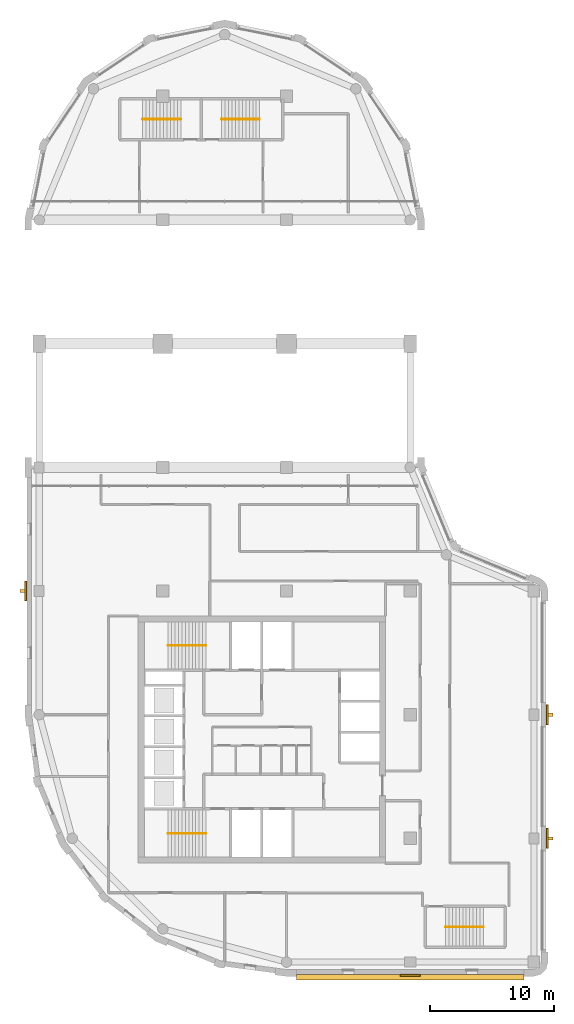
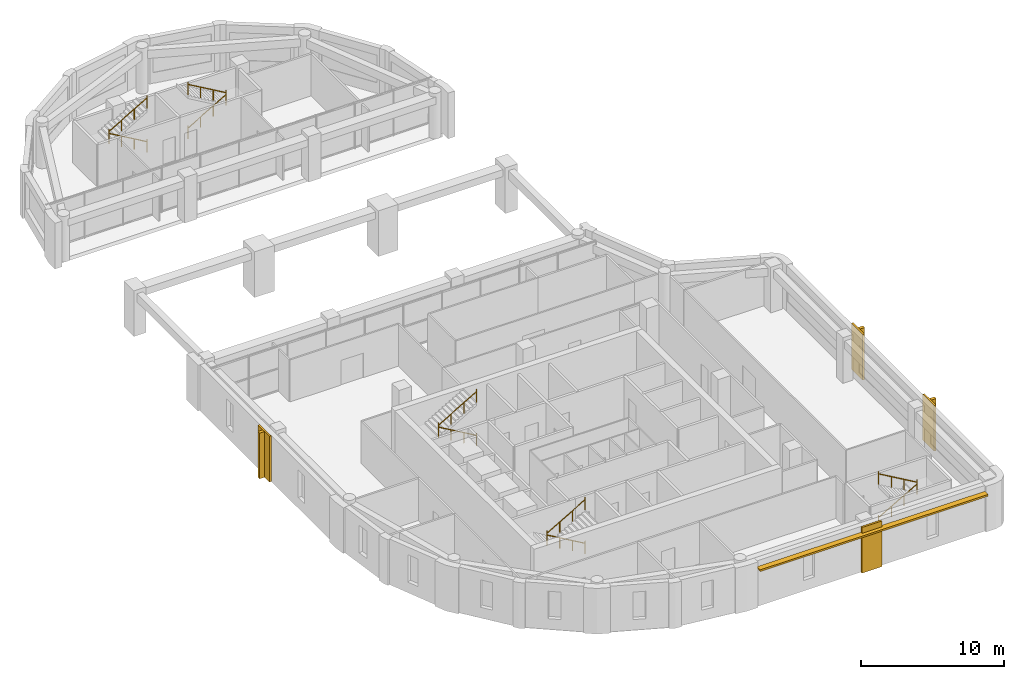
# One storey, part 10 of 11: 10 railings, 4 coverings, 4 shading devices.
"""IFC4 building model written with IfcOpenShell, lengths in metres."""

from ifc_helpers import new_model, si_unit, direction, frame, origin, origin_2d, place, context, subcontext, project, spatial, polyline, rectangle, circle, outline, extrude, material, layer, layer_set, type_object, element, save


model = new_model("IFC4")

# Units and contexts
model_context = context("Model", 3, precision=1e-05, world=origin(), true_north=direction((0.0, 1.0)))
body_context = subcontext(model_context, "Body", "Model", "MODEL_VIEW")
ifc_project = project(units=[si_unit("LENGTHUNIT", "METRE"), si_unit("AREAUNIT", "SQUARE_METRE"), si_unit("VOLUMEUNIT", "CUBIC_METRE"), si_unit("PLANEANGLEUNIT", "RADIAN"), si_unit("MASSUNIT", "GRAM", prefix="KILO")], contexts=[model_context])

# Site, building, storey
site_placement = place(None, origin())
site = spatial("IfcSite", under=ifc_project, at=site_placement, CompositionType="ELEMENT")
building_placement = place(site_placement, origin())
building = spatial("IfcBuilding", under=site, at=building_placement, Name="Qaws Garden Tower", CompositionType="ELEMENT")
storey_placement = place(building_placement, frame((0.0, 0.0, 317.699951171875)))
storey = spatial("IfcBuildingStorey", under=building, at=storey_placement, Name="L77", CompositionType="ELEMENT", Elevation=317.699951171875)

# Coverings
ifc_material_1 = material(Name="Clay facing brick masonry", Category="masonry")
ifc_layer_1 = layer(ifc_material_1, 0.14990234375)
ifc_layer_set_1 = layer_set([ifc_layer_1], Name="Clay facing brick masonry")
covering_type = type_object("IfcCoveringType", Name="Brick pilaster facing 150 x 1600", PredefinedType="CLADDING", material=ifc_layer_set_1)
placement = place(storey_placement, origin())
element("IfcCovering", 1, at=placement, inside=storey, type_object=covering_type, Name="E-L77-pier-01", PredefinedType="CLADDING", context=body_context, shape_type="SweptSolid", body=[
    extrude(outline(polyline([(29.199951171875, -1.0), (30.800048828125, -1.0), (30.800048828125, -1.14990234375), (29.199951171875, -1.14990234375), (29.199951171875, -1.0)])), origin(), (0.0, 0.0, 1.0), 3.900146484375),
])
element("IfcCovering", 2, at=placement, inside=storey, type_object=covering_type, Name="E-L77-pier-03", PredefinedType="CLADDING", context=body_context, shape_type="SweptSolid", body=[
    extrude(outline(polyline([(41.0, 9.199951171875), (41.0, 10.800048828125), (41.14990234375, 10.800048828125), (41.14990234375, 9.199951171875), (41.0, 9.199951171875)])), origin(), (0.0, 0.0, 1.0), 3.900146484375),
])
element("IfcCovering", 3, at=placement, inside=storey, type_object=covering_type, Name="E-L77-pier-04", PredefinedType="CLADDING", context=body_context, shape_type="SweptSolid", body=[
    extrude(outline(polyline([(41.0, 19.199951171875), (41.0, 20.800048828125), (41.14990234375, 20.800048828125), (41.14990234375, 19.199951171875), (41.0, 19.199951171875)])), origin(), (0.0, 0.0, 1.0), 3.900146484375),
])
element("IfcCovering", 4, at=placement, inside=storey, type_object=covering_type, Name="E-L77-pier-20", PredefinedType="CLADDING", context=body_context, shape_type="SweptSolid", body=[
    extrude(outline(polyline([(-1.0, 30.800048828125), (-1.0, 29.199951171875), (-1.14990234375, 29.199951171875), (-1.14990234375, 30.800048828125), (-1.0, 30.800048828125)])), origin(), (0.0, 0.0, 1.0), 3.900146484375),
])

# Shading devices
ifc_material_2 = material(Name="Clay facing brick masonry", Category="masonry")
ifc_layer_2 = layer(ifc_material_2, 0.14990234375)
ifc_layer_set_2 = layer_set([ifc_layer_2], Name="Clay facing brick masonry")
shading_device_type_1 = type_object("IfcShadingDeviceType", Name="Brick sunshade band 450 x 150", PredefinedType="JALOUSIE", material=ifc_layer_set_2)
shading_device_placement = place(storey_placement, frame((0.0, 0.0, 3.25)))
element("IfcShadingDevice", 5, at=shading_device_placement, inside=storey, type_object=shading_device_type_1, Name="SUNSHADE 00", PredefinedType="JALOUSIE", context=body_context, shape_type="SweptSolid", body=[
    extrude(outline(polyline([(20.800048828125, -1.0), (20.800048828125, -1.449951171875), (39.199951171875, -1.449951171875), (39.199951171875, -1.0), (30.800048828125, -1.0), (30.800048828125, -1.14990234375), (29.199951171875, -1.14990234375), (29.199951171875, -1.0), (20.800048828125, -1.0)])), origin(), (0.0, 0.0, 1.0), 0.150146484375),
])
ifc_material_3 = material(Name="Clay facing brick masonry", Category="masonry")
ifc_layer_3 = layer(ifc_material_3, 0.25)
ifc_layer_set_3 = layer_set([ifc_layer_3], Name="Clay facing brick masonry")
shading_device_type_2 = type_object("IfcShadingDeviceType", Name="Brick-faced fin 250 x 400", PredefinedType="USERDEFINED", material=ifc_layer_set_3)
for number, where, z_axis, x_axis, name in (
    (6, (41.35009765625, 10.0, 0.0), (0.0, 0.0, 1.0), (0.0, 1.0, 0.0), "FIN 03"),
    (7, (41.35009765625, 20.0, 0.0), (0.0, 0.0, 1.0), (0.0, 1.0, 0.0), "FIN 04"),
    (8, (-1.35009765625, 30.0, 0.0), (0.0, 0.0, 1.0), (0.0, -1.0, 0.0), "FIN 20"),
):
    element("IfcShadingDevice", number, at=place(storey_placement, frame(where, z_axis=z_axis, x_axis=x_axis)), inside=storey, type_object=shading_device_type_2, Name=name, ObjectType="FIN", PredefinedType="USERDEFINED", context=body_context, shape_type="SweptSolid", body=[
        extrude(rectangle(XDim=0.25, YDim=0.39990234375, at=origin_2d()), origin(), (0.0, 0.0, 1.0), 3.89990234375),
    ])

# Railings
ifc_material_4 = material(Name="Steel S355", Category="steel")
railing_type = type_object("IfcRailingType", Name="Stair handrail 900", PredefinedType="HANDRAIL", material=ifc_material_4)
railing_1_placement = place(storey_placement, frame((13.5, 10.39990234375, 0.16259765625)))
element("IfcRailing", 9, at=railing_1_placement, inside=storey, type_object=railing_type, Name="Stair 1 handrail", PredefinedType="HANDRAIL", context=body_context, shape_type="SweptSolid", body=[
    extrude(circle(Radius=0.02392578125, at=origin_2d()), frame((0.0, 0.0, 0.8759765625), z_axis=(-0.864920483161, 0.0, 0.501908913857), x_axis=(0.0, -1.0, 0.0)), (0.0, 0.0, 1.0), 3.56103515625),
    extrude(circle(Radius=0.02099609375, at=origin_2d()), origin(), (0.0, 0.0, 1.0), 1.06201171875),
    extrude(circle(Radius=0.02099609375, at=origin_2d()), frame((-1.026611328125, 0.0, 0.595703125)), (0.0, 0.0, 1.0), 0.851806640625),
    extrude(circle(Radius=0.02099609375, at=origin_2d()), frame((-2.053466796875, 0.0, 1.191650390625)), (0.0, 0.0, 1.0), 0.851806640625),
    extrude(circle(Radius=0.02099609375, at=origin_2d()), frame((-3.080078125, 0.0, 1.787353515625)), (0.0, 0.0, 1.0), 1.06201171875),
])
railing_2_placement = place(storey_placement, frame((10.419921875, 10.39990234375, 2.112548828125)))
element("IfcRailing", 10, at=railing_2_placement, inside=storey, type_object=railing_type, Name="Stair 1 handrail", PredefinedType="HANDRAIL", context=body_context, shape_type="SweptSolid", body=[
    extrude(circle(Radius=0.02392578125, at=origin_2d()), frame((0.0, 0.0, 0.8759765625), z_axis=(0.864890721111, 0.0, 0.501960198159), x_axis=(0.0, 1.0, 0.0)), (0.0, 0.0, 1.0), 3.561279296875),
    extrude(circle(Radius=0.02099609375, at=origin_2d()), origin(), (0.0, 0.0, 1.0), 1.06201171875),
    extrude(circle(Radius=0.02099609375, at=origin_2d()), frame((1.026611328125, 0.0, 0.595947265625)), (0.0, 0.0, 1.0), 0.851806640625),
    extrude(circle(Radius=0.02099609375, at=origin_2d()), frame((2.053466796875, 0.0, 1.191650390625)), (0.0, 0.0, 1.0), 0.851806640625),
    extrude(circle(Radius=0.02099609375, at=origin_2d()), frame((3.080078125, 0.0, 1.78759765625)), (0.0, 0.0, 1.0), 1.06201171875),
])
railing_3_placement = place(storey_placement, frame((13.5, 25.60009765625, 0.16259765625)))
element("IfcRailing", 11, at=railing_3_placement, inside=storey, type_object=railing_type, Name="Stair 4 handrail", PredefinedType="HANDRAIL", context=body_context, shape_type="SweptSolid", body=[
    extrude(circle(Radius=0.02392578125, at=origin_2d()), frame((0.0, 0.0, 0.8759765625), z_axis=(-0.864920483161, 0.0, 0.501908913857), x_axis=(0.0, -1.0, 0.0)), (0.0, 0.0, 1.0), 3.56103515625),
    extrude(circle(Radius=0.02099609375, at=origin_2d()), origin(), (0.0, 0.0, 1.0), 1.06201171875),
    extrude(circle(Radius=0.02099609375, at=origin_2d()), frame((-1.026611328125, 0.0, 0.595703125)), (0.0, 0.0, 1.0), 0.851806640625),
    extrude(circle(Radius=0.02099609375, at=origin_2d()), frame((-2.053466796875, 0.0, 1.191650390625)), (0.0, 0.0, 1.0), 0.851806640625),
    extrude(circle(Radius=0.02099609375, at=origin_2d()), frame((-3.080078125, 0.0, 1.787353515625)), (0.0, 0.0, 1.0), 1.06201171875),
])
railing_4_placement = place(storey_placement, frame((10.419921875, 25.60009765625, 2.112548828125)))
element("IfcRailing", 12, at=railing_4_placement, inside=storey, type_object=railing_type, Name="Stair 4 handrail", PredefinedType="HANDRAIL", context=body_context, shape_type="SweptSolid", body=[
    extrude(circle(Radius=0.02392578125, at=origin_2d()), frame((0.0, 0.0, 0.8759765625), z_axis=(0.864890721111, 0.0, 0.501960198159), x_axis=(0.0, 1.0, 0.0)), (0.0, 0.0, 1.0), 3.561279296875),
    extrude(circle(Radius=0.02099609375, at=origin_2d()), origin(), (0.0, 0.0, 1.0), 1.06201171875),
    extrude(circle(Radius=0.02099609375, at=origin_2d()), frame((1.026611328125, 0.0, 0.595947265625)), (0.0, 0.0, 1.0), 0.851806640625),
    extrude(circle(Radius=0.02099609375, at=origin_2d()), frame((2.053466796875, 0.0, 1.191650390625)), (0.0, 0.0, 1.0), 0.851806640625),
    extrude(circle(Radius=0.02099609375, at=origin_2d()), frame((3.080078125, 0.0, 1.78759765625)), (0.0, 0.0, 1.0), 1.06201171875),
])
railing_5_placement = place(storey_placement, frame((32.85009765625, 2.85009765625, 0.16259765625)))
element("IfcRailing", 13, at=railing_5_placement, inside=storey, type_object=railing_type, Name="Stair 5 handrail", PredefinedType="HANDRAIL", context=body_context, shape_type="SweptSolid", body=[
    extrude(circle(Radius=0.02392578125, at=origin_2d()), frame((0.0, 0.0, 0.8759765625), z_axis=(0.864903211148, 0.0, 0.501938676878), x_axis=(0.0, 1.0, 0.0)), (0.0, 0.0, 1.0), 3.560791015625),
    extrude(circle(Radius=0.02099609375, at=origin_2d()), origin(), (0.0, 0.0, 1.0), 1.06201171875),
    extrude(circle(Radius=0.02099609375, at=origin_2d()), frame((1.026611328125, 0.0, 0.595703125)), (0.0, 0.0, 1.0), 0.851806640625),
    extrude(circle(Radius=0.02099609375, at=origin_2d()), frame((2.05322265625, 0.0, 1.191650390625)), (0.0, 0.0, 1.0), 0.851806640625),
    extrude(circle(Radius=0.02099609375, at=origin_2d()), frame((3.079833984375, 0.0, 1.787353515625)), (0.0, 0.0, 1.0), 1.06201171875),
])
railing_6_placement = place(storey_placement, frame((35.929931640625, 2.85009765625, 2.112548828125)))
element("IfcRailing", 14, at=railing_6_placement, inside=storey, type_object=railing_type, Name="Stair 5 handrail", PredefinedType="HANDRAIL", context=body_context, shape_type="SweptSolid", body=[
    extrude(circle(Radius=0.02392578125, at=origin_2d()), frame((0.0, 0.0, 0.8759765625), z_axis=(-0.864873446163, 0.0, 0.501989962173), x_axis=(0.0, -1.0, 0.0)), (0.0, 0.0, 1.0), 3.56103515625),
    extrude(circle(Radius=0.02099609375, at=origin_2d()), origin(), (0.0, 0.0, 1.0), 1.06201171875),
    extrude(circle(Radius=0.02099609375, at=origin_2d()), frame((-1.026611328125, 0.0, 0.595947265625)), (0.0, 0.0, 1.0), 0.851806640625),
    extrude(circle(Radius=0.02099609375, at=origin_2d()), frame((-2.05322265625, 0.0, 1.191650390625)), (0.0, 0.0, 1.0), 0.851806640625),
    extrude(circle(Radius=0.02099609375, at=origin_2d()), frame((-3.079833984375, 0.0, 1.78759765625)), (0.0, 0.0, 1.0), 1.06201171875),
])
railing_7_placement = place(storey_placement, frame((11.449951171875, 68.14990234375, 0.16259765625)))
element("IfcRailing", 15, at=railing_7_placement, inside=storey, type_object=railing_type, Name="Stair 6 handrail", PredefinedType="HANDRAIL", context=body_context, shape_type="SweptSolid", body=[
    extrude(circle(Radius=0.02392578125, at=origin_2d()), frame((0.0, 0.0, 0.8759765625), z_axis=(-0.864903211148, 0.0, 0.501938676878), x_axis=(0.0, -1.0, 0.0)), (0.0, 0.0, 1.0), 3.560791015625),
    extrude(circle(Radius=0.02099609375, at=origin_2d()), origin(), (0.0, 0.0, 1.0), 1.06201171875),
    extrude(circle(Radius=0.02099609375, at=origin_2d()), frame((-1.026611328125, 0.0, 0.595703125)), (0.0, 0.0, 1.0), 0.851806640625),
    extrude(circle(Radius=0.02099609375, at=origin_2d()), frame((-2.05322265625, 0.0, 1.191650390625)), (0.0, 0.0, 1.0), 0.851806640625),
    extrude(circle(Radius=0.02099609375, at=origin_2d()), frame((-3.079833984375, 0.0, 1.787353515625)), (0.0, 0.0, 1.0), 1.06201171875),
])
railing_8_placement = place(storey_placement, frame((8.3701171875, 68.14990234375, 2.112548828125)))
element("IfcRailing", 16, at=railing_8_placement, inside=storey, type_object=railing_type, Name="Stair 6 handrail", PredefinedType="HANDRAIL", context=body_context, shape_type="SweptSolid", body=[
    extrude(circle(Radius=0.02392578125, at=origin_2d()), frame((0.0, 0.0, 0.8759765625), z_axis=(0.864873446163, 0.0, 0.501989962173), x_axis=(0.0, 1.0, 0.0)), (0.0, 0.0, 1.0), 3.56103515625),
    extrude(circle(Radius=0.02099609375, at=origin_2d()), origin(), (0.0, 0.0, 1.0), 1.06201171875),
    extrude(circle(Radius=0.02099609375, at=origin_2d()), frame((1.026611328125, 0.0, 0.595947265625)), (0.0, 0.0, 1.0), 0.851806640625),
    extrude(circle(Radius=0.02099609375, at=origin_2d()), frame((2.05322265625, 0.0, 1.191650390625)), (0.0, 0.0, 1.0), 0.851806640625),
    extrude(circle(Radius=0.02099609375, at=origin_2d()), frame((3.079833984375, 0.0, 1.78759765625)), (0.0, 0.0, 1.0), 1.06201171875),
])
railing_9_placement = place(storey_placement, frame((14.75, 68.14990234375, 0.16259765625)))
element("IfcRailing", 17, at=railing_9_placement, inside=storey, type_object=railing_type, Name="Stair 7 handrail", PredefinedType="HANDRAIL", context=body_context, shape_type="SweptSolid", body=[
    extrude(circle(Radius=0.02392578125, at=origin_2d()), frame((0.0, 0.0, 0.8759765625), z_axis=(0.864920483161, 0.0, 0.501908913857), x_axis=(0.0, 1.0, 0.0)), (0.0, 0.0, 1.0), 3.56103515625),
    extrude(circle(Radius=0.02099609375, at=origin_2d()), origin(), (0.0, 0.0, 1.0), 1.06201171875),
    extrude(circle(Radius=0.02099609375, at=origin_2d()), frame((1.026611328125, 0.0, 0.595703125)), (0.0, 0.0, 1.0), 0.851806640625),
    extrude(circle(Radius=0.02099609375, at=origin_2d()), frame((2.053466796875, 0.0, 1.191650390625)), (0.0, 0.0, 1.0), 0.851806640625),
    extrude(circle(Radius=0.02099609375, at=origin_2d()), frame((3.080078125, 0.0, 1.787353515625)), (0.0, 0.0, 1.0), 1.06201171875),
])
railing_10_placement = place(storey_placement, frame((17.830078125, 68.14990234375, 2.112548828125)))
element("IfcRailing", 18, at=railing_10_placement, inside=storey, type_object=railing_type, Name="Stair 7 handrail", PredefinedType="HANDRAIL", context=body_context, shape_type="SweptSolid", body=[
    extrude(circle(Radius=0.02392578125, at=origin_2d()), frame((0.0, 0.0, 0.8759765625), z_axis=(-0.864890721111, 0.0, 0.501960198159), x_axis=(0.0, -1.0, 0.0)), (0.0, 0.0, 1.0), 3.561279296875),
    extrude(circle(Radius=0.02099609375, at=origin_2d()), origin(), (0.0, 0.0, 1.0), 1.06201171875),
    extrude(circle(Radius=0.02099609375, at=origin_2d()), frame((-1.026611328125, 0.0, 0.595947265625)), (0.0, 0.0, 1.0), 0.851806640625),
    extrude(circle(Radius=0.02099609375, at=origin_2d()), frame((-2.053466796875, 0.0, 1.191650390625)), (0.0, 0.0, 1.0), 0.851806640625),
    extrude(circle(Radius=0.02099609375, at=origin_2d()), frame((-3.080078125, 0.0, 1.78759765625)), (0.0, 0.0, 1.0), 1.06201171875),
])

save(model, "model.ifc")
